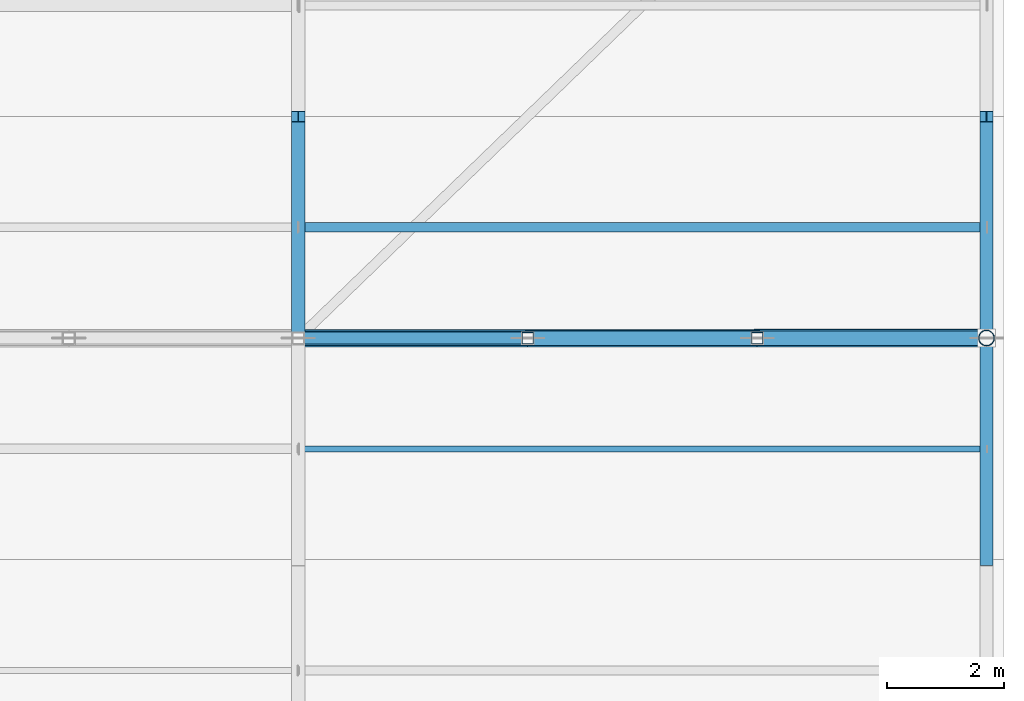
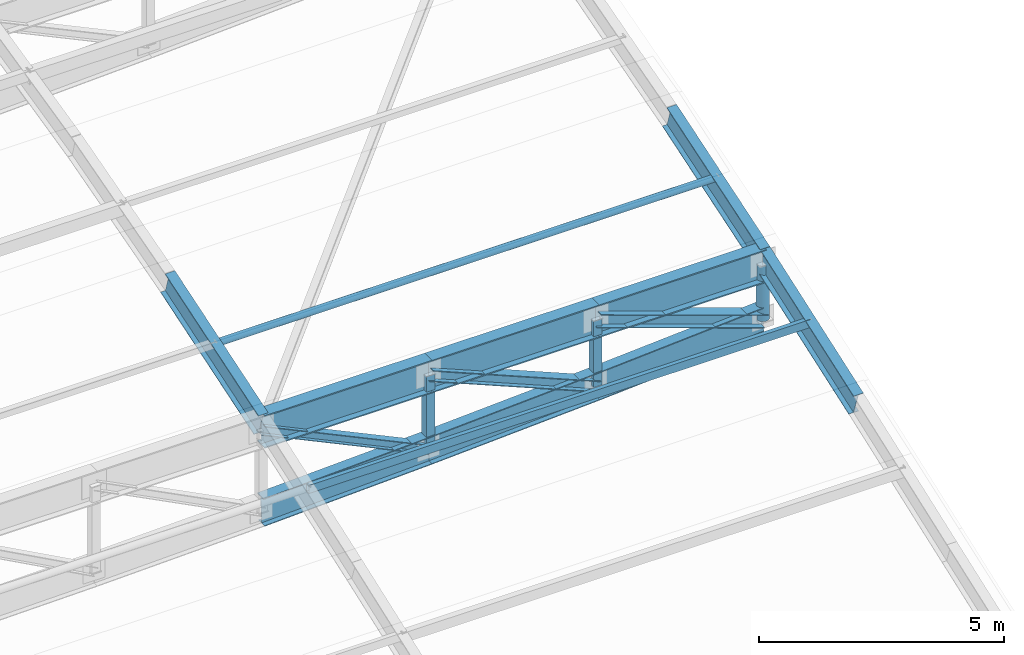
# One storey, part 24 of 65: 11 members, 6 beams.
"""IFC4 building model written with IfcOpenShell, lengths in metres."""

from ifc_helpers import new_model, si_unit, direction, frame, origin, origin_2d, place, context, subcontext, project, spatial, hollow_rectangle, hollow_circle, i_section, extrude, material, material_profile, profile_set, type_object, element, save


model = new_model("IFC4")

# Units and contexts
model_context = context("Model", 3, precision=1e-05, world=origin(), true_north=direction((0.0, 1.0)))
body_context = subcontext(model_context, "Body", "Model", "MODEL_VIEW")
ifc_project = project(units=[si_unit("LENGTHUNIT", "METRE"), si_unit("AREAUNIT", "SQUARE_METRE"), si_unit("VOLUMEUNIT", "CUBIC_METRE"), si_unit("PLANEANGLEUNIT", "RADIAN"), si_unit("MASSUNIT", "GRAM", prefix="KILO"), si_unit("POWERUNIT", "WATT"), si_unit("THERMODYNAMICTEMPERATUREUNIT", "KELVIN")], contexts=[model_context])

# Site, building, storey
site_placement = place(None, origin())
site = spatial("IfcSite", under=ifc_project, at=site_placement, CompositionType="ELEMENT")
building_placement = place(site_placement, origin())
building = spatial("IfcBuilding", under=site, at=building_placement, Name="Kelmbourne Parkland Aquatics Centre", CompositionType="ELEMENT")
storey_placement = place(building_placement, frame((0.0, 0.0, 27.0)))
storey = spatial("IfcBuildingStorey", under=building, at=storey_placement, Name="RF", CompositionType="ELEMENT", Elevation=27.0)

# Members
ifc_material_1 = material(Name="Structural steel AS/NZS 3679.1 Grade 300", Category="steel")
ifc_material_profile_1 = material_profile(ifc_material_1, i_section(OverallWidth=0.306884765625, OverallDepth=0.31494140625, WebThickness=0.011962890625, FlangeThickness=0.018798828125, at=origin_2d()), Name="310UC118")
ifc_profile_set_1 = profile_set([ifc_material_profile_1], Name="Structural steel AS/NZS 3679.1 Grade 300")
member_type_1 = type_object("IfcMemberType", Name="MB-DIAG1", PredefinedType="STRUT", material=ifc_profile_set_1)
member_1_placement = place(storey_placement, frame((171.2666015625, 92.0, -3.202880859375), z_axis=(0.94359966112, 0.0, -0.331088627913), x_axis=(0.0, 1.0, 0.0)))
element("IfcMember", 1, at=member_1_placement, inside=storey, type_object=member_type_1, Name="Roof truss R08 web diagonal 12", PredefinedType="STRUT", context=body_context, shape_type="SweptSolid", body=[
    extrude(i_section(OverallWidth=0.306884765625, OverallDepth=0.31494140625, WebThickness=0.011962890625, FlangeThickness=0.018798828125, at=origin_2d()), origin(), (0.0, 0.0, 1.0), 4.16845703125),
])
ifc_material_profile_2 = material_profile(ifc_material_1, i_section(OverallWidth=0.256103515625, OverallDepth=0.260009765625, WebThickness=0.010498046875, FlangeThickness=0.017333984375, at=origin_2d()), Name="250UC89.5")
ifc_profile_set_2 = profile_set([ifc_material_profile_2], Name="Structural steel AS/NZS 3679.1 Grade 300")
member_type_2 = type_object("IfcMemberType", Name="MB-DIAG2", PredefinedType="STRUT", material=ifc_profile_set_2)
member_2_placement = place(storey_placement, frame((167.333251953125, 92.0, -3.202880859375), z_axis=(0.923014195881, 0.0, -0.384765895322), x_axis=(0.0, 1.0, 0.0)))
element("IfcMember", 2, at=member_2_placement, inside=storey, type_object=member_type_2, Name="Roof truss R08 web diagonal 11", PredefinedType="STRUT", context=body_context, shape_type="SweptSolid", body=[
    extrude(i_section(OverallWidth=0.256103515625, OverallDepth=0.260009765625, WebThickness=0.010498046875, FlangeThickness=0.017333984375, at=origin_2d()), origin(), (0.0, 0.0, 1.0), 4.261474609375),
])
ifc_material_profile_3 = material_profile(ifc_material_1, i_section(OverallWidth=0.205078125, OverallDepth=0.2099609375, WebThickness=0.00927734375, FlangeThickness=0.01416015625, at=origin_2d()), Name="200UC59.5")
ifc_profile_set_3 = profile_set([ifc_material_profile_3], Name="Structural steel AS/NZS 3679.1 Grade 300")
member_type_3 = type_object("IfcMemberType", Name="MB-DIAG3", PredefinedType="STRUT", material=ifc_profile_set_3)
member_3_placement = place(storey_placement, frame((163.39990234375, 92.0, -3.202880859375), z_axis=(0.904702860314, 0.0, -0.426043113475), x_axis=(0.0, 1.0, 0.0)))
element("IfcMember", 3, at=member_3_placement, inside=storey, type_object=member_type_3, Name="Roof truss R08 web diagonal 10", PredefinedType="STRUT", context=body_context, shape_type="SweptSolid", body=[
    extrude(i_section(OverallWidth=0.205078125, OverallDepth=0.2099609375, WebThickness=0.00927734375, FlangeThickness=0.01416015625, at=origin_2d()), origin(), (0.0, 0.0, 1.0), 4.34765625),
])
ifc_material_profile_4 = material_profile(ifc_material_1, i_section(OverallWidth=0.22900390625, OverallDepth=0.612060546875, WebThickness=0.011962890625, FlangeThickness=0.01953125, at=origin_2d()), Name="610UB125")
ifc_profile_set_4 = profile_set([ifc_material_profile_4], Name="Structural steel AS/NZS 3679.1 Grade 300")
member_type_4 = type_object("IfcMemberType", Name="MB-LRIB", PredefinedType="STRUT", material=ifc_profile_set_4)
member_4_placement = place(storey_placement, frame((163.39990234375, 92.0, -3.0830078125), z_axis=(0.0, 0.951582923928, 0.307392158144), x_axis=(-1.0, 0.0, 0.0)))
element("IfcMember", 4, at=member_4_placement, inside=storey, type_object=member_type_4, Name="Longitudinal wave rib K9 strip 25", PredefinedType="STRUT", context=body_context, shape_type="SweptSolid", body=[
    extrude(i_section(OverallWidth=0.22900390625, OverallDepth=0.612060546875, WebThickness=0.011962890625, FlangeThickness=0.01953125, at=origin_2d()), origin(), (0.0, 0.0, 1.0), 3.993408203125),
])
member_5_placement = place(storey_placement, frame((175.199951171875, 88.199951171875, -4.414794921875), z_axis=(0.0, 0.943721214003, 0.330741999511), x_axis=(-1.0, 0.0, 0.0)))
element("IfcMember", 5, at=member_5_placement, inside=storey, type_object=member_type_4, Name="Longitudinal wave rib K12 strip 24", PredefinedType="STRUT", context=body_context, shape_type="SweptSolid", body=[
    extrude(i_section(OverallWidth=0.22900390625, OverallDepth=0.612060546875, WebThickness=0.011962890625, FlangeThickness=0.01953125, at=origin_2d()), origin(), (0.0, 0.0, 1.0), 4.026611328125),
])
member_6_placement = place(storey_placement, frame((175.199951171875, 92.0, -3.0830078125), z_axis=(0.0, 0.951582923928, 0.307392158144), x_axis=(-1.0, 0.0, 0.0)))
element("IfcMember", 6, at=member_6_placement, inside=storey, type_object=member_type_4, Name="Longitudinal wave rib K12 strip 25", PredefinedType="STRUT", context=body_context, shape_type="SweptSolid", body=[
    extrude(i_section(OverallWidth=0.22900390625, OverallDepth=0.612060546875, WebThickness=0.011962890625, FlangeThickness=0.01953125, at=origin_2d()), origin(), (0.0, 0.0, 1.0), 3.993408203125),
])
ifc_material_2 = material(Name="Cold-formed hollow steel AS/NZS 1163 C350L0", Category="steel")
ifc_material_profile_5 = material_profile(ifc_material_2, hollow_rectangle(XDim=0.199951171875, YDim=0.199951171875, WallThickness=0.010009765625, at=origin_2d()), Name="SHS 200x200x10.0")
ifc_profile_set_5 = profile_set([ifc_material_profile_5], Name="Cold-formed hollow steel AS/NZS 1163 C350L0")
member_type_5 = type_object("IfcMemberType", Name="MB-POST1", PredefinedType="STRUT", material=ifc_profile_set_5)
member_7_placement = place(storey_placement, frame((167.333251953125, 92.0, -5.05517578125), z_axis=(0.0, 0.0, 1.0), x_axis=(1.0, 0.0, 0.0)))
element("IfcMember", 7, at=member_7_placement, inside=storey, type_object=member_type_5, Name="Roof truss R08 vertical post 10", PredefinedType="STRUT", context=body_context, shape_type="SweptSolid", body=[
    extrude(hollow_rectangle(XDim=0.199951171875, YDim=0.199951171875, WallThickness=0.010009765625, at=origin_2d()), origin(), (0.0, 0.0, 1.0), 1.852294921875),
])
member_8_placement = place(storey_placement, frame((171.2666015625, 92.0, -4.842529296875), z_axis=(0.0, 0.0, 1.0), x_axis=(1.0, 0.0, 0.0)))
element("IfcMember", 8, at=member_8_placement, inside=storey, type_object=member_type_5, Name="Roof truss R08 vertical post 11", PredefinedType="STRUT", context=body_context, shape_type="SweptSolid", body=[
    extrude(hollow_rectangle(XDim=0.199951171875, YDim=0.199951171875, WallThickness=0.010009765625, at=origin_2d()), origin(), (0.0, 0.0, 1.0), 1.6396484375),
])
ifc_material_profile_6 = material_profile(ifc_material_2, hollow_circle(Radius=0.136474609375, WallThickness=0.00927734375, at=origin_2d()), Name="CHS 273.1x9.3")
ifc_profile_set_6 = profile_set([ifc_material_profile_6], Name="Cold-formed hollow steel AS/NZS 1163 C350L0")
member_type_6 = type_object("IfcMemberType", Name="MB-POST2", PredefinedType="STRUT", material=ifc_profile_set_6)
member_9_placement = place(storey_placement, frame((175.199951171875, 92.0, -4.5830078125), z_axis=(0.0, 0.0, 1.0), x_axis=(1.0, 0.0, 0.0)))
element("IfcMember", 9, at=member_9_placement, inside=storey, type_object=member_type_6, Name="Roof truss R08 vertical post 12", PredefinedType="STRUT", context=body_context, shape_type="SweptSolid", body=[
    extrude(hollow_circle(Radius=0.136474609375, WallThickness=0.00927734375, at=origin_2d()), origin(), (0.0, 0.0, 1.0), 1.380126953125),
])
ifc_material_profile_7 = material_profile(ifc_material_2, hollow_rectangle(XDim=0.10009765625, YDim=0.199951171875, WallThickness=0.006103515625, at=origin_2d()), Name="RHS 200x100x6.0")
ifc_profile_set_7 = profile_set([ifc_material_profile_7], Name="Cold-formed hollow steel AS/NZS 1163 C350L0")
member_type_7 = type_object("IfcMemberType", Name="MB-PUR1", PredefinedType="PURLIN", material=ifc_profile_set_7)
member_10_placement = place(storey_placement, frame((163.39990234375, 90.10009765625, -3.538818359375), z_axis=(1.0, 0.0, 0.0), x_axis=(0.0, 1.0, 0.0)))
element("IfcMember", 10, at=member_10_placement, inside=storey, type_object=member_type_7, Name="Wave roof purlin S24-G4", PredefinedType="PURLIN", context=body_context, shape_type="SweptSolid", body=[
    extrude(hollow_rectangle(XDim=0.10009765625, YDim=0.199951171875, WallThickness=0.006103515625, at=origin_2d()), origin(), (0.0, 0.0, 1.0), 11.800048828125),
])
ifc_material_profile_8 = material_profile(ifc_material_2, hollow_circle(Radius=0.084228515625, WallThickness=0.007080078125, at=origin_2d()), Name="CHS 168.3x7.1")
ifc_profile_set_8 = profile_set([ifc_material_profile_8], Name="Cold-formed hollow steel AS/NZS 1163 C350L0")
member_type_8 = type_object("IfcMemberType", Name="MB-PUR5", PredefinedType="PURLIN", material=ifc_profile_set_8)
member_11_placement = place(storey_placement, frame((163.39990234375, 93.89990234375, -2.243408203125), z_axis=(1.0, 0.0, 0.0), x_axis=(0.0, 1.0, 0.0)))
element("IfcMember", 11, at=member_11_placement, inside=storey, type_object=member_type_8, Name="Wave roof purlin S25-G4", PredefinedType="PURLIN", context=body_context, shape_type="SweptSolid", body=[
    extrude(hollow_circle(Radius=0.084228515625, WallThickness=0.007080078125, at=origin_2d()), origin(), (0.0, 0.0, 1.0), 11.800048828125),
])

# Beams
ifc_material_3 = material(Name="Welded plate steel AS/NZS 3678 Grade 350", Category="steel")
ifc_material_profile_9 = material_profile(ifc_material_3, i_section(OverallWidth=0.25, OverallDepth=0.699951171875, WebThickness=0.010009765625, FlangeThickness=0.02001953125, at=origin_2d()), Name="700WB130")
ifc_profile_set_9 = profile_set([ifc_material_profile_9], Name="Welded plate steel AS/NZS 3678 Grade 350")
beam_type_1 = type_object("IfcBeamType", Name="TR-BC2", PredefinedType="BEAM", material=ifc_profile_set_9)
beam_1_placement = place(storey_placement, frame((163.39990234375, 92.0, -5.220458984375), z_axis=(0.999118286144, 0.0, 0.041983928975), x_axis=(0.0, 1.0, 0.0)))
element("IfcBeam", 12, at=beam_1_placement, inside=storey, type_object=beam_type_1, Name="Roof truss R08 bottom chord 10", PredefinedType="BEAM", context=body_context, shape_type="SweptSolid", body=[
    extrude(i_section(OverallWidth=0.25, OverallDepth=0.699951171875, WebThickness=0.010009765625, FlangeThickness=0.02001953125, at=origin_2d()), origin(), (0.0, 0.0, 1.0), 3.936767578125),
])
beam_2_placement = place(storey_placement, frame((167.333251953125, 92.0, -5.05517578125), z_axis=(0.99854182183, 0.0, 0.053983609138), x_axis=(0.0, 1.0, 0.0)))
element("IfcBeam", 13, at=beam_2_placement, inside=storey, type_object=beam_type_1, Name="Roof truss R08 bottom chord 11", PredefinedType="BEAM", context=body_context, shape_type="SweptSolid", body=[
    extrude(i_section(OverallWidth=0.25, OverallDepth=0.699951171875, WebThickness=0.010009765625, FlangeThickness=0.02001953125, at=origin_2d()), origin(), (0.0, 0.0, 1.0), 3.939208984375),
])
beam_3_placement = place(storey_placement, frame((171.2666015625, 92.0, -4.842529296875), z_axis=(0.9978304164, 0.0, 0.065836616761), x_axis=(0.0, 1.0, 0.0)))
element("IfcBeam", 14, at=beam_3_placement, inside=storey, type_object=beam_type_1, Name="Roof truss R08 bottom chord 12", PredefinedType="BEAM", context=body_context, shape_type="SweptSolid", body=[
    extrude(i_section(OverallWidth=0.25, OverallDepth=0.699951171875, WebThickness=0.010009765625, FlangeThickness=0.02001953125, at=origin_2d()), origin(), (0.0, 0.0, 1.0), 3.94189453125),
])
ifc_material_profile_10 = material_profile(ifc_material_3, i_section(OverallWidth=0.300048828125, OverallDepth=0.81591796875, WebThickness=0.011962890625, FlangeThickness=0.028076171875, at=origin_2d()), Name="800WB192")
ifc_profile_set_10 = profile_set([ifc_material_profile_10], Name="Welded plate steel AS/NZS 3678 Grade 350")
beam_type_2 = type_object("IfcBeamType", Name="TR-TC2", PredefinedType="BEAM", material=ifc_profile_set_10)
for number, where, z_axis, x_axis, name in (
    (15, (163.39990234375, 92.0, -3.202880859375), (1.0, 0.0, 0.0), (0.0, 1.0, 0.0), "Roof truss R08 top chord 10"),
    (16, (167.333251953125, 92.0, -3.202880859375), (1.0, 0.0, 0.0), (0.0, 1.0, 0.0), "Roof truss R08 top chord 11"),
    (17, (171.2666015625, 92.0, -3.202880859375), (1.0, 0.0, 0.0), (0.0, 1.0, 0.0), "Roof truss R08 top chord 12"),
):
    element("IfcBeam", number, at=place(storey_placement, frame(where, z_axis=z_axis, x_axis=x_axis)), inside=storey, type_object=beam_type_2, Name=name, PredefinedType="BEAM", context=body_context, shape_type="SweptSolid", body=[
        extrude(i_section(OverallWidth=0.300048828125, OverallDepth=0.81591796875, WebThickness=0.011962890625, FlangeThickness=0.028076171875, at=origin_2d()), origin(), (0.0, 0.0, 1.0), 3.933349609375),
    ])

save(model, "model.ifc")
